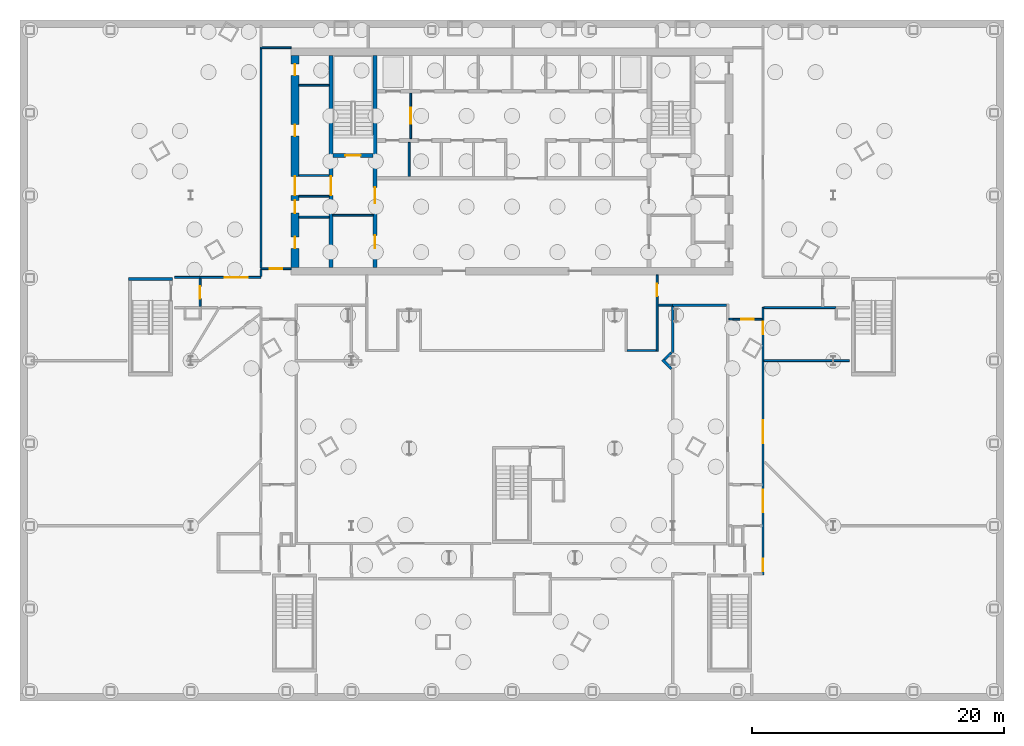
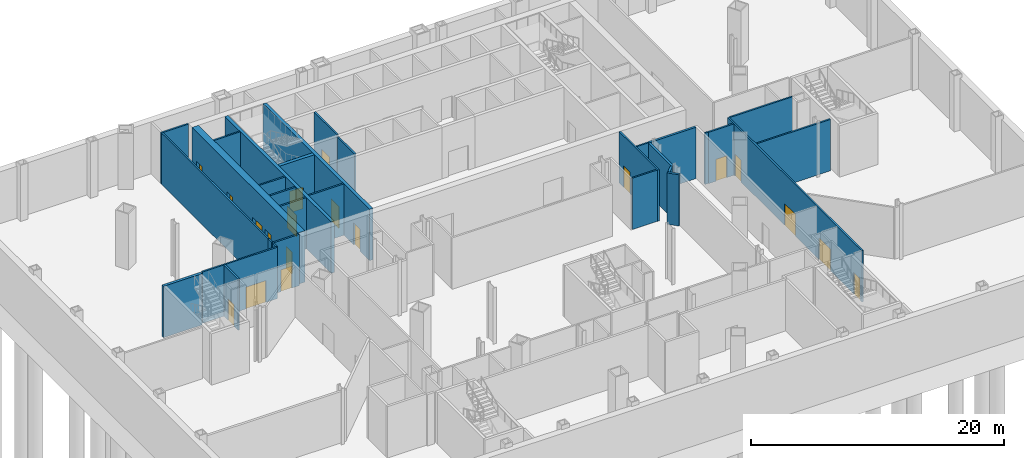
# One storey, part 9 of 19: 31 walls, 19 doors, 19 openings.
"""IFC4 building model written with IfcOpenShell, lengths in metres."""

from ifc_helpers import new_model, si_unit, direction, frame, frame_2d, origin, place, context, subcontext, project, spatial, rectangle, extrude, material, layer, layer_set, type_object, element, fill, save


model = new_model("IFC4")

# Units and contexts
model_context = context("Model", 3, precision=1e-05, world=origin(), true_north=direction((0.0, 1.0)))
body_context = subcontext(model_context, "Body", "Model", "MODEL_VIEW")
ifc_project = project(units=[si_unit("LENGTHUNIT", "METRE"), si_unit("AREAUNIT", "SQUARE_METRE"), si_unit("VOLUMEUNIT", "CUBIC_METRE"), si_unit("PLANEANGLEUNIT", "RADIAN"), si_unit("MASSUNIT", "GRAM", prefix="KILO")], contexts=[model_context])

# Site, building, storey
site_placement = place(None, origin())
site = spatial("IfcSite", under=ifc_project, at=site_placement, CompositionType="ELEMENT")
building_placement = place(site_placement, origin())
building = spatial("IfcBuilding", under=site, at=building_placement, Name="Njiva Tower", CompositionType="ELEMENT")
storey_placement = place(building_placement, frame((0.0, 0.0, -16.8)))
storey = spatial("IfcBuildingStorey", under=building, at=storey_placement, Name="B3", CompositionType="ELEMENT", Elevation=-16.8)

# Walls
ifc_material_1 = material(Name="Blockwork", Category="masonry")
ifc_layer_1 = layer(ifc_material_1, 0.15)
ifc_layer_set_1 = layer_set([ifc_layer_1], Name="Blockwork")
wall_type_1 = type_object("IfcWallType", Name="WT1 Compartment partition 150", PredefinedType="PARTITIONING", material=ifc_layer_set_1)
wall_1_placement = place(storey_placement, frame((-8.15, 7.8, 0.0), z_axis=(0.0, 0.0, 1.0), x_axis=(0.0, 1.0, 0.0)))
element("IfcWall", 1, at=wall_1_placement, inside=storey, type_object=wall_type_1, Name="Partition CS1", PredefinedType="PARTITIONING", context=body_context, shape_type="SweptSolid", body=[
    extrude(rectangle(XDim=2.7, YDim=0.15, at=frame_2d((1.35, 0.0))), origin(), (0.0, 0.0, 1.0), 4.95),
])
wall_2_placement = place(storey_placement, frame((-14.2, 4.725, 0.0), z_axis=(0.0, 0.0, 1.0), x_axis=(1.0, 0.0, 0.0)))
element("IfcWall", 2, at=wall_2_placement, inside=storey, type_object=wall_type_1, Name="Room wall A", PredefinedType="PARTITIONING", context=body_context, shape_type="SweptSolid", body=[
    extrude(rectangle(XDim=3.2, YDim=0.15, at=frame_2d((1.6, 0.0))), origin(), (0.0, 0.0, 1.0), 4.95),
])
wall_3_placement = place(storey_placement, frame((-16.9, 4.575, 0.0), z_axis=(0.0, 0.0, 1.0), x_axis=(1.0, 0.0, 0.0)))
element("IfcWall", 3, at=wall_3_placement, inside=storey, type_object=wall_type_1, Name="Partition strip W00", PredefinedType="PARTITIONING", context=body_context, shape_type="SweptSolid", body=[
    extrude(rectangle(XDim=2.4, YDim=0.15, at=frame_2d((1.2, 0.0))), origin(), (0.0, 0.0, 1.0), 4.95),
])

# Wall, openings, doors
ifc_material_2 = material(Name="Concrete C40/50", Category="concrete")
ifc_layer_2 = layer(ifc_material_2, 0.3)
ifc_layer_set_2 = layer_set([ifc_layer_2], Name="Concrete C40/50")
wall_type_2 = type_object("IfcWallType", Name="WT10 Stair enclosure wall 300", PredefinedType="SHEAR", material=ifc_layer_set_2)
wall_4_placement = place(storey_placement, frame((-10.85, 0.6, 0.0), z_axis=(0.0, 0.0, 1.0), x_axis=(0.0, 1.0, 0.0)))
wall_4 = element("IfcWall", 4, at=wall_4_placement, inside=storey, type_object=wall_type_2, Name="Stair wall west inner", PredefinedType="SHEAR", context=body_context, shape_type="SweptSolid", body=[
    extrude(rectangle(XDim=16.8, YDim=0.3, at=frame_2d((8.4, 0.0))), origin(), (0.0, 0.0, 1.0), 4.95),
])
opening_1_placement = place(wall_4_placement, frame((5.075, 0.0, 0.0)))
opening_1 = element("IfcOpeningElement", 5, at=opening_1_placement, cuts=wall_4, Name="Opening B3-D918", PredefinedType="OPENING", context=body_context, shape_type="SweptSolid", body=[
    extrude(rectangle(XDim=1.25, YDim=2.1, at=frame_2d((0.625, 1.05))), frame((0.0, 0.16, 0.0), z_axis=(0.0, -1.0, 0.0), x_axis=(1.0, 0.0, 0.0)), (0.0, 0.0, 1.0), 0.32),
])
opening_2_placement = place(wall_4_placement, frame((1.525, 0.0, 0.0)))
opening_2 = element("IfcOpeningElement", 6, at=opening_2_placement, cuts=wall_4, Name="Opening B3-D919", PredefinedType="OPENING", context=body_context, shape_type="SweptSolid", body=[
    extrude(rectangle(XDim=1.0, YDim=2.1, at=frame_2d((0.5, 1.05))), frame((0.0, 0.16, 0.0), z_axis=(0.0, -1.0, 0.0), x_axis=(1.0, 0.0, 0.0)), (0.0, 0.0, 1.0), 0.32),
])
ifc_material_3 = material(Name="Steel door, painted", Category="steel")
door_type_1 = type_object("IfcDoorType", Name="D5 Steel door 1000x2100", OperationType="SINGLE_SWING_LEFT", PredefinedType="DOOR", material=ifc_material_3)
door_1_placement = place(opening_2_placement, origin())
door_1 = element("IfcDoor", 7, at=door_1_placement, inside=storey, type_object=door_type_1, Name="Electrical room door", OperationType="SINGLE_SWING_RIGHT", OverallHeight=2.1, OverallWidth=1.0, PredefinedType="DOOR", context=body_context, shape_type="SweptSolid", body=[
    extrude(rectangle(XDim=1.0, YDim=2.1, at=frame_2d((0.5, 1.05))), frame((0.0, 0.025, 0.0), z_axis=(0.0, -1.0, 0.0), x_axis=(1.0, 0.0, 0.0)), (0.0, 0.0, 1.0), 0.05),
])
fill(opening_2, door_1)
ifc_material_4 = material(Name="Glazed steel fire door", Category="steel")
door_type_2 = type_object("IfcDoorType", Name="D8 Vestibule corridor door 1250x2100 glazed", OperationType="SINGLE_SWING_LEFT", PredefinedType="DOOR", material=ifc_material_4)
door_2_placement = place(opening_1_placement, origin())
door_2 = element("IfcDoor", 8, at=door_2_placement, inside=storey, type_object=door_type_2, Name="Stair vestibule corridor door", OperationType="SINGLE_SWING_LEFT", OverallHeight=2.1, OverallWidth=1.25, PredefinedType="DOOR", context=body_context, shape_type="SweptSolid", body=[
    extrude(rectangle(XDim=1.25, YDim=2.1, at=frame_2d((0.625, 1.05))), frame((0.0, 0.025, 0.0), z_axis=(0.0, -1.0, 0.0), x_axis=(1.0, 0.0, 0.0)), (0.0, 0.0, 1.0), 0.05),
])
fill(opening_1, door_2)

# Wall, opening, door
wall_5_placement = place(storey_placement, frame((-14.35, 0.6, 0.0), z_axis=(0.0, 0.0, 1.0), x_axis=(0.0, 1.0, 0.0)))
wall_5 = element("IfcWall", 9, at=wall_5_placement, inside=storey, type_object=wall_type_2, Name="Stair wall west outer", PredefinedType="SHEAR", context=body_context, shape_type="SweptSolid", body=[
    extrude(rectangle(XDim=16.8, YDim=0.3, at=frame_2d((8.4, 0.0))), origin(), (0.0, 0.0, 1.0), 4.95),
])
opening_3_placement = place(wall_5_placement, frame((5.7, 0.0, 0.0)))
opening_3 = element("IfcOpeningElement", 10, at=opening_3_placement, cuts=wall_5, Name="Opening B3-D924", PredefinedType="OPENING", context=body_context, shape_type="SweptSolid", body=[
    extrude(rectangle(XDim=1.5, YDim=2.1, at=frame_2d((0.75, 1.05))), frame((0.0, 0.16, 0.0), z_axis=(0.0, -1.0, 0.0), x_axis=(1.0, 0.0, 0.0)), (0.0, 0.0, 1.0), 0.32),
])
door_type_3 = type_object("IfcDoorType", Name="D10 Exit door double 1500x2100 glazed", OperationType="DOUBLE_DOOR_SINGLE_SWING", PredefinedType="DOOR", material=ifc_material_4)
door_3_placement = place(opening_3_placement, origin())
door_3 = element("IfcDoor", 11, at=door_3_placement, inside=storey, type_object=door_type_3, Name="Stair A passage door", OperationType="DOUBLE_DOOR_SINGLE_SWING", OverallHeight=2.1, OverallWidth=1.5, PredefinedType="DOOR", context=body_context, shape_type="SweptSolid", body=[
    extrude(rectangle(XDim=1.5, YDim=2.1, at=frame_2d((0.75, 1.05))), frame((0.0, 0.025, 0.0), z_axis=(0.0, -1.0, 0.0), x_axis=(1.0, 0.0, 0.0)), (0.0, 0.0, 1.0), 0.05),
])
fill(opening_3, door_3)

wall_6_placement = place(storey_placement, frame((-14.2, 9.45, 0.0), z_axis=(0.0, 0.0, 1.0), x_axis=(1.0, 0.0, 0.0)))
wall_6 = element("IfcWall", 12, at=wall_6_placement, inside=storey, type_object=wall_type_2, Name="Stair A south wall", PredefinedType="SHEAR", context=body_context, shape_type="SweptSolid", body=[
    extrude(rectangle(XDim=3.2, YDim=0.3, at=frame_2d((1.6, 0.0))), origin(), (0.0, 0.0, 1.0), 4.95),
])
opening_4_placement = place(wall_6_placement, frame((1.0, 0.0, 0.0)))
opening_4 = element("IfcOpeningElement", 13, at=opening_4_placement, cuts=wall_6, Name="Opening B3-D917", PredefinedType="OPENING", context=body_context, shape_type="SweptSolid", body=[
    extrude(rectangle(XDim=1.2, YDim=2.1, at=frame_2d((0.6, 1.05))), frame((0.0, 0.16, 0.0), z_axis=(0.0, -1.0, 0.0), x_axis=(1.0, 0.0, 0.0)), (0.0, 0.0, 1.0), 0.32),
])
door_type_4 = type_object("IfcDoorType", Name="D7 Stair vestibule door 1200x2100 glazed", OperationType="SINGLE_SWING_LEFT", PredefinedType="DOOR", material=ifc_material_4)
door_4_placement = place(opening_4_placement, origin())
door_4 = element("IfcDoor", 14, at=door_4_placement, inside=storey, type_object=door_type_4, Name="Stair A door", OperationType="SINGLE_SWING_LEFT", OverallHeight=2.1, OverallWidth=1.2, PredefinedType="DOOR", context=body_context, shape_type="SweptSolid", body=[
    extrude(rectangle(XDim=1.2, YDim=2.1, at=frame_2d((0.6, 1.05))), frame((0.0, 0.025, 0.0), z_axis=(0.0, -1.0, 0.0), x_axis=(1.0, 0.0, 0.0)), (0.0, 0.0, 1.0), 0.05),
])
fill(opening_4, door_4)

# Wall, openings, doors
ifc_material_5 = material(Name="Concrete C60/75", Category="concrete")
ifc_layer_3 = layer(ifc_material_5, 0.6)
ifc_layer_set_3 = layer_set([ifc_layer_3], Name="Concrete C60/75")
wall_type_3 = type_object("IfcWallType", Name="WT15 Core wall 600", PredefinedType="SHEAR", material=ifc_layer_set_3)
wall_7_placement = place(storey_placement, frame((-17.2, 0.6, 0.0), z_axis=(0.0, 0.0, 1.0), x_axis=(0.0, 1.0, 0.0)))
wall_7 = element("IfcWall", 15, at=wall_7_placement, inside=storey, type_object=wall_type_3, Name="Core wall west", PredefinedType="SHEAR", context=body_context, shape_type="SweptSolid", body=[
    extrude(rectangle(XDim=16.8, YDim=0.6, at=frame_2d((8.4, 0.0))), origin(), (0.0, 0.0, 1.0), 4.95),
])
opening_5_placement = place(wall_7_placement, frame((5.7, 0.0, 0.0)))
opening_5 = element("IfcOpeningElement", 16, at=opening_5_placement, cuts=wall_7, Name="Opening B3-D925", PredefinedType="OPENING", context=body_context, shape_type="SweptSolid", body=[
    extrude(rectangle(XDim=1.5, YDim=2.1, at=frame_2d((0.75, 1.05))), frame((0.0, 0.31, 0.0), z_axis=(0.0, -1.0, 0.0), x_axis=(1.0, 0.0, 0.0)), (0.0, 0.0, 1.0), 0.62),
])
opening_6_placement = place(wall_7_placement, frame((1.5, 0.0, 0.0)))
opening_6 = element("IfcOpeningElement", 17, at=opening_6_placement, cuts=wall_7, Name="Opening B3-D926", PredefinedType="OPENING", context=body_context, shape_type="SweptSolid", body=[
    extrude(rectangle(XDim=0.9, YDim=2.1, at=frame_2d((0.45, 1.05))), frame((0.0, 0.31, 0.0), z_axis=(0.0, -1.0, 0.0), x_axis=(1.0, 0.0, 0.0)), (0.0, 0.0, 1.0), 0.62),
])
opening_7_placement = place(wall_7_placement, frame((4.3, 0.0, 0.0)))
opening_7 = element("IfcOpeningElement", 18, at=opening_7_placement, cuts=wall_7, Name="Opening B3-D927", PredefinedType="OPENING", context=body_context, shape_type="SweptSolid", body=[
    extrude(rectangle(XDim=1.0, YDim=2.1, at=frame_2d((0.5, 1.05))), frame((0.0, 0.31, 0.0), z_axis=(0.0, -1.0, 0.0), x_axis=(1.0, 0.0, 0.0)), (0.0, 0.0, 1.0), 0.62),
])
opening_8_placement = place(wall_7_placement, frame((10.4017, 0.0, 0.0)))
opening_8 = element("IfcOpeningElement", 19, at=opening_8_placement, cuts=wall_7, Name="Opening B3-D928", PredefinedType="OPENING", context=body_context, shape_type="SweptSolid", body=[
    extrude(rectangle(XDim=0.9, YDim=2.1, at=frame_2d((0.45, 1.05))), frame((0.0, 0.31, 0.0), z_axis=(0.0, -1.0, 0.0), x_axis=(1.0, 0.0, 0.0)), (0.0, 0.0, 1.0), 0.62),
])
opening_9_placement = place(wall_7_placement, frame((15.2017, 0.0, 0.0)))
opening_9 = element("IfcOpeningElement", 20, at=opening_9_placement, cuts=wall_7, Name="Opening B3-D929", PredefinedType="OPENING", context=body_context, shape_type="SweptSolid", body=[
    extrude(rectangle(XDim=0.9, YDim=2.1, at=frame_2d((0.45, 1.05))), frame((0.0, 0.31, 0.0), z_axis=(0.0, -1.0, 0.0), x_axis=(1.0, 0.0, 0.0)), (0.0, 0.0, 1.0), 0.62),
])
door_5_placement = place(opening_5_placement, origin())
door_5 = element("IfcDoor", 21, at=door_5_placement, inside=storey, type_object=door_type_3, Name="Stair A corridor door", OperationType="DOUBLE_DOOR_SINGLE_SWING", OverallHeight=2.1, OverallWidth=1.5, PredefinedType="DOOR", context=body_context, shape_type="SweptSolid", body=[
    extrude(rectangle(XDim=1.5, YDim=2.1, at=frame_2d((0.75, 1.05))), frame((0.0, 0.025, 0.0), z_axis=(0.0, -1.0, 0.0), x_axis=(1.0, 0.0, 0.0)), (0.0, 0.0, 1.0), 0.05),
])
fill(opening_5, door_5)
door_type_5 = type_object("IfcDoorType", Name="D4 Riser door 900x2100", OperationType="SINGLE_SWING_LEFT", PredefinedType="DOOR", material=ifc_material_3)
door_6_placement = place(opening_9_placement, origin())
door_6 = element("IfcDoor", 22, at=door_6_placement, inside=storey, type_object=door_type_5, Name="Riser door", OperationType="SINGLE_SWING_LEFT", OverallHeight=2.1, OverallWidth=0.9, PredefinedType="DOOR", context=body_context, shape_type="SweptSolid", body=[
    extrude(rectangle(XDim=0.9, YDim=2.1, at=frame_2d((0.45, 1.05))), frame((0.0, 0.025, 0.0), z_axis=(0.0, -1.0, 0.0), x_axis=(1.0, 0.0, 0.0)), (0.0, 0.0, 1.0), 0.05),
])
fill(opening_9, door_6)
door_7_placement = place(opening_7_placement, origin())
door_7 = element("IfcDoor", 23, at=door_7_placement, inside=storey, type_object=door_type_1, Name="Electrical room door", OperationType="SINGLE_SWING_LEFT", OverallHeight=2.1, OverallWidth=1.0, PredefinedType="DOOR", context=body_context, shape_type="SweptSolid", body=[
    extrude(rectangle(XDim=1.0, YDim=2.1, at=frame_2d((0.5, 1.05))), frame((0.0, 0.025, 0.0), z_axis=(0.0, -1.0, 0.0), x_axis=(1.0, 0.0, 0.0)), (0.0, 0.0, 1.0), 0.05),
])
fill(opening_7, door_7)
ifc_material_6 = material(Name="Steel fire door, painted", Category="steel")
door_type_6 = type_object("IfcDoorType", Name="D6 Fire-rated door 900x2100", OperationType="SINGLE_SWING_LEFT", PredefinedType="DOOR", material=ifc_material_6)
door_8_placement = place(opening_6_placement, origin())
door_8 = element("IfcDoor", 24, at=door_8_placement, inside=storey, type_object=door_type_6, Name="Business centre door", OperationType="SINGLE_SWING_LEFT", OverallHeight=2.1, OverallWidth=0.9, PredefinedType="DOOR", context=body_context, shape_type="SweptSolid", body=[
    extrude(rectangle(XDim=0.9, YDim=2.1, at=frame_2d((0.45, 1.05))), frame((0.0, 0.025, 0.0), z_axis=(0.0, -1.0, 0.0), x_axis=(1.0, 0.0, 0.0)), (0.0, 0.0, 1.0), 0.05),
])
fill(opening_6, door_8)
door_9_placement = place(opening_8_placement, origin())
door_9 = element("IfcDoor", 25, at=door_9_placement, inside=storey, type_object=door_type_6, Name="Meeting room door", OperationType="SINGLE_SWING_RIGHT", OverallHeight=2.1, OverallWidth=0.9, PredefinedType="DOOR", context=body_context, shape_type="SweptSolid", body=[
    extrude(rectangle(XDim=0.9, YDim=2.1, at=frame_2d((0.45, 1.05))), frame((0.0, 0.025, 0.0), z_axis=(0.0, -1.0, 0.0), x_axis=(1.0, 0.0, 0.0)), (0.0, 0.0, 1.0), 0.05),
])
fill(opening_8, door_9)

# Wall, opening, door
ifc_layer_4 = layer(ifc_material_1, 0.15)
ifc_layer_set_4 = layer_set([ifc_layer_4], Name="Blockwork")
wall_type_4 = type_object("IfcWallType", Name="WT2 Lobby partition 150", PredefinedType="PARTITIONING", material=ifc_layer_set_4)
wall_8_placement = place(storey_placement, frame((-8.025, 10.8, 0.0), z_axis=(0.0, 0.0, 1.0), x_axis=(0.0, 1.0, 0.0)))
wall_8 = element("IfcWall", 26, at=wall_8_placement, inside=storey, type_object=wall_type_4, Name="Firefighting lobby wall A", PredefinedType="PARTITIONING", context=body_context, shape_type="SweptSolid", body=[
    extrude(rectangle(XDim=3.6, YDim=0.15, at=frame_2d((1.8, 0.0))), origin(), (0.0, 0.0, 1.0), 4.95),
])
opening_10_placement = place(wall_8_placement, frame((1.175, 0.0, 0.0)))
opening_10 = element("IfcOpeningElement", 27, at=opening_10_placement, cuts=wall_8, Name="Opening B3-D916", PredefinedType="OPENING", context=body_context, shape_type="SweptSolid", body=[
    extrude(rectangle(XDim=1.25, YDim=2.1, at=frame_2d((0.625, 1.05))), frame((0.0, 0.085, 0.0), z_axis=(0.0, -1.0, 0.0), x_axis=(1.0, 0.0, 0.0)), (0.0, 0.0, 1.0), 0.17),
])
door_10_placement = place(opening_10_placement, origin())
door_10 = element("IfcDoor", 28, at=door_10_placement, inside=storey, type_object=door_type_2, Name="Stair vestibule corridor door", OperationType="SINGLE_SWING_RIGHT", OverallHeight=2.1, OverallWidth=1.25, PredefinedType="DOOR", context=body_context, shape_type="SweptSolid", body=[
    extrude(rectangle(XDim=1.25, YDim=2.1, at=frame_2d((0.625, 1.05))), frame((0.0, 0.025, 0.0), z_axis=(0.0, -1.0, 0.0), x_axis=(1.0, 0.0, 0.0)), (0.0, 0.0, 1.0), 0.05),
])
fill(opening_10, door_10)

ifc_material_7 = material(Name="Gypsum board on steel studs", Category="gypsum")
ifc_layer_5 = layer(ifc_material_7, 0.15)
ifc_layer_set_5 = layer_set([ifc_layer_5], Name="Gypsum board on steel studs")
wall_type_5 = type_object("IfcWallType", Name="WT21 Compartment wall 150", PredefinedType="PARTITIONING", material=ifc_layer_set_5)
wall_9_placement = place(storey_placement, frame((-26.75, -0.2, 0.0), z_axis=(0.0, 0.0, 1.0), x_axis=(1.0, 0.0, 0.0)))
wall_9 = element("IfcWall", 29, at=wall_9_placement, inside=storey, type_object=wall_type_5, Name="Partition B3-P004", PredefinedType="PARTITIONING", context=body_context, shape_type="SweptSolid", body=[
    extrude(rectangle(XDim=6.846, YDim=0.15, at=frame_2d((3.423, 0.0))), origin(), (0.0, 0.0, 1.0), 4.95),
])
opening_11_placement = place(wall_9_placement, frame((3.987, 0.0, 0.0)))
opening_11 = element("IfcOpeningElement", 30, at=opening_11_placement, cuts=wall_9, Name="Opening B3-D001", PredefinedType="OPENING", context=body_context, shape_type="SweptSolid", body=[
    extrude(rectangle(XDim=1.8, YDim=2.1, at=frame_2d((0.9, 1.05))), frame((0.0, 0.085, 0.0), z_axis=(0.0, -1.0, 0.0), x_axis=(1.0, 0.0, 0.0)), (0.0, 0.0, 1.0), 0.17),
])
ifc_material_8 = material(Name="Steel fire door set", Category="steel")
door_type_7 = type_object("IfcDoorType", Name="D38 Fire door 1800x2100", OperationType="DOUBLE_DOOR_SINGLE_SWING", PredefinedType="DOOR", material=ifc_material_8)
door_11_placement = place(opening_11_placement, origin())
door_11 = element("IfcDoor", 31, at=door_11_placement, inside=storey, type_object=door_type_7, Name="Door B3-D001", OperationType="DOUBLE_DOOR_SINGLE_SWING", OverallHeight=2.1, OverallWidth=1.8, PredefinedType="DOOR", context=body_context, shape_type="SweptSolid", body=[
    extrude(rectangle(XDim=1.8, YDim=2.1, at=frame_2d((0.9, 1.05))), frame((0.0, 0.025, 0.0), z_axis=(0.0, -1.0, 0.0), x_axis=(1.0, 0.0, 0.0)), (0.0, 0.0, 1.0), 0.05),
])
fill(opening_11, door_11)

wall_10_placement = place(storey_placement, frame((-24.725, -2.525, 0.0), z_axis=(0.0, 0.0, 1.0), x_axis=(0.0, 1.0, 0.0)))
wall_10 = element("IfcWall", 32, at=wall_10_placement, inside=storey, type_object=wall_type_5, Name="Partition B3-P013", PredefinedType="PARTITIONING", context=body_context, shape_type="SweptSolid", body=[
    extrude(rectangle(XDim=2.25, YDim=0.15, at=frame_2d((1.125, 0.0))), origin(), (0.0, 0.0, 1.0), 4.95),
])
opening_12_placement = place(wall_10_placement, frame((0.625, 0.0, 0.0)))
opening_12 = element("IfcOpeningElement", 33, at=opening_12_placement, cuts=wall_10, Name="Opening B3-D002", PredefinedType="OPENING", context=body_context, shape_type="SweptSolid", body=[
    extrude(rectangle(XDim=1.0, YDim=2.1, at=frame_2d((0.5, 1.05))), frame((0.0, 0.085, 0.0), z_axis=(0.0, -1.0, 0.0), x_axis=(1.0, 0.0, 0.0)), (0.0, 0.0, 1.0), 0.17),
])
door_type_8 = type_object("IfcDoorType", Name="D41 Glazed fire door 1000x2100", OperationType="SINGLE_SWING_LEFT", PredefinedType="DOOR", material=ifc_material_4)
door_12_placement = place(opening_12_placement, origin())
door_12 = element("IfcDoor", 34, at=door_12_placement, inside=storey, type_object=door_type_8, Name="Door B3-D002", OperationType="SINGLE_SWING_RIGHT", OverallHeight=2.1, OverallWidth=1.0, PredefinedType="DOOR", context=body_context, shape_type="SweptSolid", body=[
    extrude(rectangle(XDim=1.0, YDim=2.1, at=frame_2d((0.5, 1.05))), frame((0.0, 0.025, 0.0), z_axis=(0.0, -1.0, 0.0), x_axis=(1.0, 0.0, 0.0)), (0.0, 0.0, 1.0), 0.05),
])
fill(opening_12, door_12)

# Wall
wall_11_placement = place(storey_placement, frame((-19.9, -0.125, 0.0), z_axis=(0.0, 0.0, 1.0), x_axis=(0.0, 1.0, 0.0)))
element("IfcWall", 35, at=wall_11_placement, inside=storey, type_object=wall_type_5, Name="Partition B3-P023", PredefinedType="PARTITIONING", context=body_context, shape_type="SweptSolid", body=[
    extrude(rectangle(XDim=0.53, YDim=0.15, at=frame_2d((0.265, 0.0))), origin(), (0.0, 0.0, 1.0), 4.95),
])

# Wall, opening, door
wall_12_placement = place(storey_placement, frame((-19.9, 0.48, 0.0), z_axis=(0.0, 0.0, 1.0), x_axis=(1.0, 0.0, 0.0)))
wall_12 = element("IfcWall", 36, at=wall_12_placement, inside=storey, type_object=wall_type_5, Name="Partition B3-P024", PredefinedType="PARTITIONING", context=body_context, shape_type="SweptSolid", body=[
    extrude(rectangle(XDim=2.4, YDim=0.15, at=frame_2d((1.2, 0.0))), origin(), (0.0, 0.0, 1.0), 4.95),
])
opening_13_placement = place(wall_12_placement, frame((0.7, 0.0, 0.0)))
opening_13 = element("IfcOpeningElement", 37, at=opening_13_placement, cuts=wall_12, Name="Opening B3-D008", PredefinedType="OPENING", context=body_context, shape_type="SweptSolid", body=[
    extrude(rectangle(XDim=1.0, YDim=2.1, at=frame_2d((0.5, 1.05))), frame((0.0, 0.085, 0.0), z_axis=(0.0, -1.0, 0.0), x_axis=(1.0, 0.0, 0.0)), (0.0, 0.0, 1.0), 0.17),
])
door_type_9 = type_object("IfcDoorType", Name="D37 Fire door 1000x2100", OperationType="SINGLE_SWING_LEFT", PredefinedType="DOOR", material=ifc_material_8)
door_13_placement = place(opening_13_placement, origin())
door_13 = element("IfcDoor", 38, at=door_13_placement, inside=storey, type_object=door_type_9, Name="Door B3-D008", OperationType="SINGLE_SWING_LEFT", OverallHeight=2.1, OverallWidth=1.0, PredefinedType="DOOR", context=body_context, shape_type="SweptSolid", body=[
    extrude(rectangle(XDim=1.0, YDim=2.1, at=frame_2d((0.5, 1.05))), frame((0.0, 0.025, 0.0), z_axis=(0.0, -1.0, 0.0), x_axis=(1.0, 0.0, 0.0)), (0.0, 0.0, 1.0), 0.05),
])
fill(opening_13, door_13)

# Walls
wall_13_placement = place(storey_placement, frame((-19.9, 0.555, 0.0), z_axis=(0.0, 0.0, 1.0), x_axis=(0.0, 1.0, 0.0)))
element("IfcWall", 39, at=wall_13_placement, inside=storey, type_object=wall_type_5, Name="Partition B3-P025", PredefinedType="PARTITIONING", context=body_context, shape_type="SweptSolid", body=[
    extrude(rectangle(XDim=0.541, YDim=0.15, at=frame_2d((0.2705, 0.0))), origin(), (0.0, 0.0, 1.0), 4.95),
])
wall_14_placement = place(storey_placement, frame((-19.9, 1.101, 0.0), z_axis=(0.0, 0.0, 1.0), x_axis=(0.0, 1.0, 0.0)))
element("IfcWall", 40, at=wall_14_placement, inside=storey, type_object=wall_type_5, Name="Partition B3-P026", PredefinedType="PARTITIONING", context=body_context, shape_type="SweptSolid", body=[
    extrude(rectangle(XDim=16.824, YDim=0.15, at=frame_2d((8.412, 0.0))), origin(), (0.0, 0.0, 1.0), 4.95),
])
wall_15_placement = place(storey_placement, frame((9.125, -6.0, 0.0), z_axis=(0.0, 0.0, 1.0), x_axis=(1.0, 0.0, 0.0)))
element("IfcWall", 41, at=wall_15_placement, inside=storey, type_object=wall_type_5, Name="Partition B3-P073", PredefinedType="PARTITIONING", context=body_context, shape_type="SweptSolid", body=[
    extrude(rectangle(XDim=2.3, YDim=0.15, at=frame_2d((1.15, 0.0))), origin(), (0.0, 0.0, 1.0), 4.95),
])

# Wall, opening, door
wall_16_placement = place(storey_placement, frame((11.5, -6.075, 0.0), z_axis=(0.0, 0.0, 1.0), x_axis=(0.0, 1.0, 0.0)))
wall_16 = element("IfcWall", 42, at=wall_16_placement, inside=storey, type_object=wall_type_5, Name="Partition B3-P074", PredefinedType="PARTITIONING", context=body_context, shape_type="SweptSolid", body=[
    extrude(rectangle(XDim=6.075, YDim=0.15, at=frame_2d((3.0375, 0.0))), origin(), (0.0, 0.0, 1.0), 4.95),
])
opening_14_placement = place(wall_16_placement, frame((4.375, 0.0, 0.0)))
opening_14 = element("IfcOpeningElement", 43, at=opening_14_placement, cuts=wall_16, Name="Opening B3-D020", PredefinedType="OPENING", context=body_context, shape_type="SweptSolid", body=[
    extrude(rectangle(XDim=1.0, YDim=2.1, at=frame_2d((0.5, 1.05))), frame((0.0, 0.085, 0.0), z_axis=(0.0, -1.0, 0.0), x_axis=(1.0, 0.0, 0.0)), (0.0, 0.0, 1.0), 0.17),
])
door_14_placement = place(opening_14_placement, origin())
door_14 = element("IfcDoor", 44, at=door_14_placement, inside=storey, type_object=door_type_9, Name="Door B3-D020", OperationType="SINGLE_SWING_RIGHT", OverallHeight=2.1, OverallWidth=1.0, PredefinedType="DOOR", context=body_context, shape_type="SweptSolid", body=[
    extrude(rectangle(XDim=1.0, YDim=2.1, at=frame_2d((0.5, 1.05))), frame((0.0, 0.025, 0.0), z_axis=(0.0, -1.0, 0.0), x_axis=(1.0, 0.0, 0.0)), (0.0, 0.0, 1.0), 0.05),
])
fill(opening_14, door_14)

# Walls
wall_17_placement = place(storey_placement, frame((11.575, -2.4, 0.0), z_axis=(0.0, 0.0, 1.0), x_axis=(1.0, 0.0, 0.0)))
element("IfcWall", 45, at=wall_17_placement, inside=storey, type_object=wall_type_5, Name="Partition B3-P076", PredefinedType="PARTITIONING", context=body_context, shape_type="SweptSolid", body=[
    extrude(rectangle(XDim=1.147, YDim=0.15, at=frame_2d((0.5735, 0.0))), origin(), (0.0, 0.0, 1.0), 4.95),
])
wall_18_placement = place(storey_placement, frame((17.2, -3.5, 0.0), z_axis=(0.0, 0.0, 1.0), x_axis=(1.0, 0.0, 0.0)))
element("IfcWall", 46, at=wall_18_placement, inside=storey, type_object=wall_type_5, Name="Partition B3-P091", PredefinedType="PARTITIONING", context=body_context, shape_type="SweptSolid", body=[
    extrude(rectangle(XDim=0.3, YDim=0.15, at=frame_2d((0.15, 0.0))), origin(), (0.0, 0.0, 1.0), 4.95),
])

# Wall, opening, door
wall_19_placement = place(storey_placement, frame((17.5, -3.525, 0.0), z_axis=(0.0, 0.0, 1.0), x_axis=(1.0, 0.0, 0.0)))
wall_19 = element("IfcWall", 47, at=wall_19_placement, inside=storey, type_object=wall_type_5, Name="Partition B3-P094", PredefinedType="PARTITIONING", context=body_context, shape_type="SweptSolid", body=[
    extrude(rectangle(XDim=2.325, YDim=0.15, at=frame_2d((1.1625, 0.0))), origin(), (0.0, 0.0, 1.0), 4.95),
])
opening_15_placement = place(wall_19_placement, frame((0.662, 0.0, 0.0)))
opening_15 = element("IfcOpeningElement", 48, at=opening_15_placement, cuts=wall_19, Name="Opening B3-D025", PredefinedType="OPENING", context=body_context, shape_type="SweptSolid", body=[
    extrude(rectangle(XDim=1.0, YDim=2.1, at=frame_2d((0.5, 1.05))), frame((0.0, 0.085, 0.0), z_axis=(0.0, -1.0, 0.0), x_axis=(1.0, 0.0, 0.0)), (0.0, 0.0, 1.0), 0.17),
])
door_15_placement = place(opening_15_placement, origin())
door_15 = element("IfcDoor", 49, at=door_15_placement, inside=storey, type_object=door_type_9, Name="Door B3-D025", OperationType="SINGLE_SWING_RIGHT", OverallHeight=2.1, OverallWidth=1.0, PredefinedType="DOOR", context=body_context, shape_type="SweptSolid", body=[
    extrude(rectangle(XDim=1.0, YDim=2.1, at=frame_2d((0.5, 1.05))), frame((0.0, 0.025, 0.0), z_axis=(0.0, -1.0, 0.0), x_axis=(1.0, 0.0, 0.0)), (0.0, 0.0, 1.0), 0.05),
])
fill(opening_15, door_15)

# Wall, openings, doors
wall_20_placement = place(storey_placement, frame((19.9, -23.775, 0.0), z_axis=(0.0, 0.0, 1.0), x_axis=(0.0, 1.0, 0.0)))
wall_20 = element("IfcWall", 50, at=wall_20_placement, inside=storey, type_object=wall_type_5, Name="Partition B3-P103", PredefinedType="PARTITIONING", context=body_context, shape_type="SweptSolid", body=[
    extrude(rectangle(XDim=21.187, YDim=0.15, at=frame_2d((10.5935, 0.0))), origin(), (0.0, 0.0, 1.0), 4.95),
])
opening_16_placement = place(wall_20_placement, frame((0.275, 0.0, 0.0)))
opening_16 = element("IfcOpeningElement", 51, at=opening_16_placement, cuts=wall_20, Name="Opening B3-D028", PredefinedType="OPENING", context=body_context, shape_type="SweptSolid", body=[
    extrude(rectangle(XDim=1.0, YDim=2.1, at=frame_2d((0.5, 1.05))), frame((0.0, 0.085, 0.0), z_axis=(0.0, -1.0, 0.0), x_axis=(1.0, 0.0, 0.0)), (0.0, 0.0, 1.0), 0.17),
])
opening_17_placement = place(wall_20_placement, frame((4.942, 0.0, 0.0)))
opening_17 = element("IfcOpeningElement", 52, at=opening_17_placement, cuts=wall_20, Name="Opening B3-D029", PredefinedType="OPENING", context=body_context, shape_type="SweptSolid", body=[
    extrude(rectangle(XDim=1.8, YDim=2.1, at=frame_2d((0.9, 1.05))), frame((0.0, 0.085, 0.0), z_axis=(0.0, -1.0, 0.0), x_axis=(1.0, 0.0, 0.0)), (0.0, 0.0, 1.0), 0.17),
])
opening_18_placement = place(wall_20_placement, frame((10.443, 0.0, 0.0)))
opening_18 = element("IfcOpeningElement", 53, at=opening_18_placement, cuts=wall_20, Name="Opening B3-D030", PredefinedType="OPENING", context=body_context, shape_type="SweptSolid", body=[
    extrude(rectangle(XDim=1.8, YDim=2.1, at=frame_2d((0.9, 1.05))), frame((0.0, 0.085, 0.0), z_axis=(0.0, -1.0, 0.0), x_axis=(1.0, 0.0, 0.0)), (0.0, 0.0, 1.0), 0.17),
])
opening_19_placement = place(wall_20_placement, frame((19.062, 0.0, 0.0)))
opening_19 = element("IfcOpeningElement", 54, at=opening_19_placement, cuts=wall_20, Name="Opening B3-D031", PredefinedType="OPENING", context=body_context, shape_type="SweptSolid", body=[
    extrude(rectangle(XDim=1.0, YDim=2.1, at=frame_2d((0.5, 1.05))), frame((0.0, 0.085, 0.0), z_axis=(0.0, -1.0, 0.0), x_axis=(1.0, 0.0, 0.0)), (0.0, 0.0, 1.0), 0.17),
])
door_16_placement = place(opening_16_placement, origin())
door_16 = element("IfcDoor", 55, at=door_16_placement, inside=storey, type_object=door_type_9, Name="Door B3-D028", OperationType="SINGLE_SWING_RIGHT", OverallHeight=2.1, OverallWidth=1.0, PredefinedType="DOOR", context=body_context, shape_type="SweptSolid", body=[
    extrude(rectangle(XDim=1.0, YDim=2.1, at=frame_2d((0.5, 1.05))), frame((0.0, 0.025, 0.0), z_axis=(0.0, -1.0, 0.0), x_axis=(1.0, 0.0, 0.0)), (0.0, 0.0, 1.0), 0.05),
])
fill(opening_16, door_16)
door_17_placement = place(opening_19_placement, origin())
door_17 = element("IfcDoor", 56, at=door_17_placement, inside=storey, type_object=door_type_9, Name="Door B3-D031", OperationType="SINGLE_SWING_RIGHT", OverallHeight=2.1, OverallWidth=1.0, PredefinedType="DOOR", context=body_context, shape_type="SweptSolid", body=[
    extrude(rectangle(XDim=1.0, YDim=2.1, at=frame_2d((0.5, 1.05))), frame((0.0, 0.025, 0.0), z_axis=(0.0, -1.0, 0.0), x_axis=(1.0, 0.0, 0.0)), (0.0, 0.0, 1.0), 0.05),
])
fill(opening_19, door_17)
door_18_placement = place(opening_17_placement, origin())
door_18 = element("IfcDoor", 57, at=door_18_placement, inside=storey, type_object=door_type_7, Name="Door B3-D029", OperationType="DOUBLE_DOOR_SINGLE_SWING", OverallHeight=2.1, OverallWidth=1.8, PredefinedType="DOOR", context=body_context, shape_type="SweptSolid", body=[
    extrude(rectangle(XDim=1.8, YDim=2.1, at=frame_2d((0.9, 1.05))), frame((0.0, 0.025, 0.0), z_axis=(0.0, -1.0, 0.0), x_axis=(1.0, 0.0, 0.0)), (0.0, 0.0, 1.0), 0.05),
])
fill(opening_17, door_18)
door_19_placement = place(opening_18_placement, origin())
door_19 = element("IfcDoor", 58, at=door_19_placement, inside=storey, type_object=door_type_7, Name="Door B3-D030", OperationType="DOUBLE_DOOR_SINGLE_SWING", OverallHeight=2.1, OverallWidth=1.8, PredefinedType="DOOR", context=body_context, shape_type="SweptSolid", body=[
    extrude(rectangle(XDim=1.8, YDim=2.1, at=frame_2d((0.9, 1.05))), frame((0.0, 0.025, 0.0), z_axis=(0.0, -1.0, 0.0), x_axis=(1.0, 0.0, 0.0)), (0.0, 0.0, 1.0), 0.05),
])
fill(opening_18, door_19)

# Walls
wall_21_placement = place(storey_placement, frame((19.975, -6.8, 0.0), z_axis=(0.0, 0.0, 1.0), x_axis=(1.0, 0.0, 0.0)))
element("IfcWall", 59, at=wall_21_placement, inside=storey, type_object=wall_type_5, Name="Partition B3-P106", PredefinedType="PARTITIONING", context=body_context, shape_type="SweptSolid", body=[
    extrude(rectangle(XDim=6.775, YDim=0.15, at=frame_2d((3.3875, 0.0))), origin(), (0.0, 0.0, 1.0), 4.95),
])
wall_22_placement = place(storey_placement, frame((19.975, -2.6, 0.0), z_axis=(0.0, 0.0, 1.0), x_axis=(1.0, 0.0, 0.0)))
element("IfcWall", 60, at=wall_22_placement, inside=storey, type_object=wall_type_5, Name="Partition B3-P107", PredefinedType="PARTITIONING", context=body_context, shape_type="SweptSolid", body=[
    extrude(rectangle(XDim=5.713, YDim=0.15, at=frame_2d((2.8565, 0.0))), origin(), (0.0, 0.0, 1.0), 4.95),
])
ifc_layer_6 = layer(ifc_material_1, 0.2)
ifc_layer_set_6 = layer_set([ifc_layer_6], Name="Blockwork")
wall_type_6 = type_object("IfcWallType", Name="WT22 Plant room wall 200", PredefinedType="PARTITIONING", material=ifc_layer_set_6)
wall_23_placement = place(storey_placement, frame((11.93, -6.729, 0.0), z_axis=(0.0, 0.0, 1.0), x_axis=(0.704095721434, -0.710105073252, 0.0)))
element("IfcWall", 61, at=wall_23_placement, inside=storey, type_object=wall_type_6, Name="Partition B3-P077", PredefinedType="PARTITIONING", context=body_context, shape_type="SweptSolid", body=[
    extrude(rectangle(XDim=0.9984, YDim=0.2, at=frame_2d((0.4992, 0.0))), origin(), (0.0, 0.0, 1.0), 4.95),
])
wall_24_placement = place(storey_placement, frame((12.071, -6.729, 0.0), z_axis=(0.0, 0.0, 1.0), x_axis=(0.703968315265, 0.710231378568, 0.0)))
element("IfcWall", 62, at=wall_24_placement, inside=storey, type_object=wall_type_6, Name="Partition B3-P078", PredefinedType="PARTITIONING", context=body_context, shape_type="SweptSolid", body=[
    extrude(rectangle(XDim=0.7983, YDim=0.2, at=frame_2d((0.3992, 0.0))), origin(), (0.0, 0.0, 1.0), 4.95),
])
wall_25_placement = place(storey_placement, frame((12.722, -2.4, 0.0), z_axis=(0.0, 0.0, 1.0), x_axis=(1.0, 0.0, 0.0)))
element("IfcWall", 63, at=wall_25_placement, inside=storey, type_object=wall_type_6, Name="Partition B3-P079", PredefinedType="PARTITIONING", context=body_context, shape_type="SweptSolid", body=[
    extrude(rectangle(XDim=4.278, YDim=0.2, at=frame_2d((2.139, 0.0))), origin(), (0.0, 0.0, 1.0), 4.95),
])
wall_26_placement = place(storey_placement, frame((12.733, -6.162, 0.0), z_axis=(0.0, 0.0, 1.0), x_axis=(0.0, 1.0, 0.0)))
element("IfcWall", 64, at=wall_26_placement, inside=storey, type_object=wall_type_6, Name="Partition B3-P083", PredefinedType="PARTITIONING", context=body_context, shape_type="SweptSolid", body=[
    extrude(rectangle(XDim=3.662, YDim=0.2, at=frame_2d((1.831, 0.0))), origin(), (0.0, 0.0, 1.0), 4.95),
])
ifc_layer_7 = layer(ifc_material_7, 0.15)
ifc_layer_set_7 = layer_set([ifc_layer_7], Name="Gypsum board on steel studs")
wall_type_7 = type_object("IfcWallType", Name="WT24 Riser room wall 150", PredefinedType="PARTITIONING", material=ifc_layer_set_7)
wall_27_placement = place(storey_placement, frame((-19.975, 18.0, 0.0), z_axis=(0.0, 0.0, 1.0), x_axis=(1.0, 0.0, 0.0)))
element("IfcWall", 65, at=wall_27_placement, inside=storey, type_object=wall_type_7, Name="Partition B3-P019", PredefinedType="PARTITIONING", context=body_context, shape_type="SweptSolid", body=[
    extrude(rectangle(XDim=2.475, YDim=0.15, at=frame_2d((1.2375, 0.0))), origin(), (0.0, 0.0, 1.0), 4.95),
])
ifc_layer_8 = layer(ifc_material_1, 0.15)
ifc_layer_set_8 = layer_set([ifc_layer_8], Name="Blockwork")
wall_type_8 = type_object("IfcWallType", Name="WT3 Riser partition 150", PredefinedType="PARTITIONING", material=ifc_layer_set_8)
wall_28_placement = place(storey_placement, frame((-16.9, 15.0285, 0.0), z_axis=(0.0, 0.0, 1.0), x_axis=(1.0, 0.0, 0.0)))
element("IfcWall", 66, at=wall_28_placement, inside=storey, type_object=wall_type_8, Name="Partition strip W10", PredefinedType="PARTITIONING", context=body_context, shape_type="SweptSolid", body=[
    extrude(rectangle(XDim=2.4, YDim=0.15, at=frame_2d((1.2, 0.0))), origin(), (0.0, 0.0, 1.0), 4.95),
])
ifc_layer_9 = layer(ifc_material_1, 0.15)
ifc_layer_set_9 = layer_set([ifc_layer_9], Name="Blockwork")
wall_type_9 = type_object("IfcWallType", Name="WT4 Stair partition 150", PredefinedType="PARTITIONING", material=ifc_layer_set_9)
for number, where, z_axis, x_axis, name in (
    (67, (-16.9, 6.225, 0.0), (0.0, 0.0, 1.0), (1.0, 0.0, 0.0), "Stair A exit passage wall south"),
    (68, (-16.9, 7.875, 0.0), (0.0, 0.0, 1.0), (1.0, 0.0, 0.0), "Stair A exit passage wall north"),
):
    element("IfcWall", number, at=place(storey_placement, frame(where, z_axis=z_axis, x_axis=x_axis)), inside=storey, type_object=wall_type_9, Name=name, PredefinedType="PARTITIONING", context=body_context, shape_type="SweptSolid", body=[
        extrude(rectangle(XDim=2.4, YDim=0.15, at=frame_2d((1.2, 0.0))), origin(), (0.0, 0.0, 1.0), 4.95),
    ])
ifc_layer_10 = layer(ifc_material_2, 0.25)
ifc_layer_set_10 = layer_set([ifc_layer_10], Name="Concrete C40/50")
wall_type_10 = type_object("IfcWallType", Name="WT9 Stair enclosure wall 250", PredefinedType="SHEAR", material=ifc_layer_set_10)
wall_29_placement = place(storey_placement, frame((-30.4, -0.325, 0.0), z_axis=(0.0, 0.0, 1.0), x_axis=(1.0, 0.0, 0.0)))
element("IfcWall", 69, at=wall_29_placement, inside=storey, type_object=wall_type_10, Name="Stair F wall north", PredefinedType="SHEAR", context=body_context, shape_type="SweptSolid", body=[
    extrude(rectangle(XDim=3.5, YDim=0.25, at=frame_2d((1.75, 0.0))), origin(), (0.0, 0.0, 1.0), 4.95),
])

save(model, "model.ifc")
